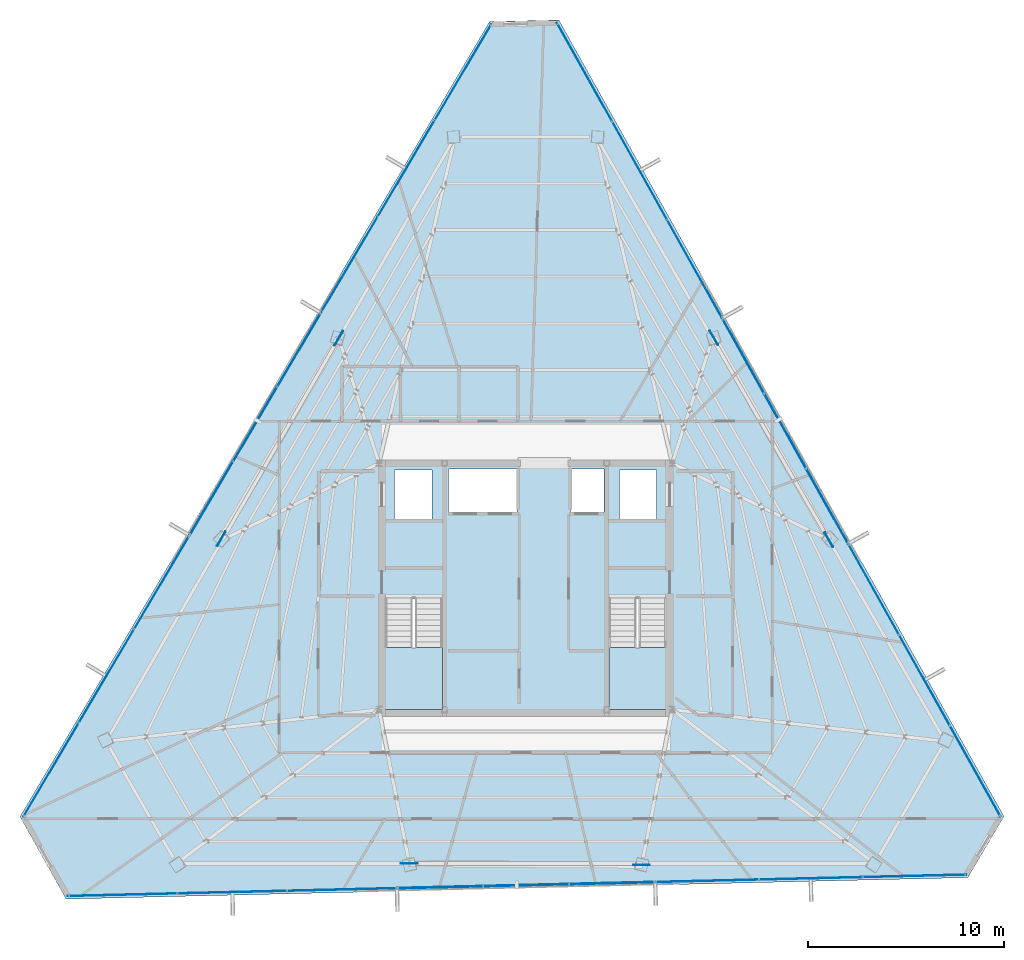
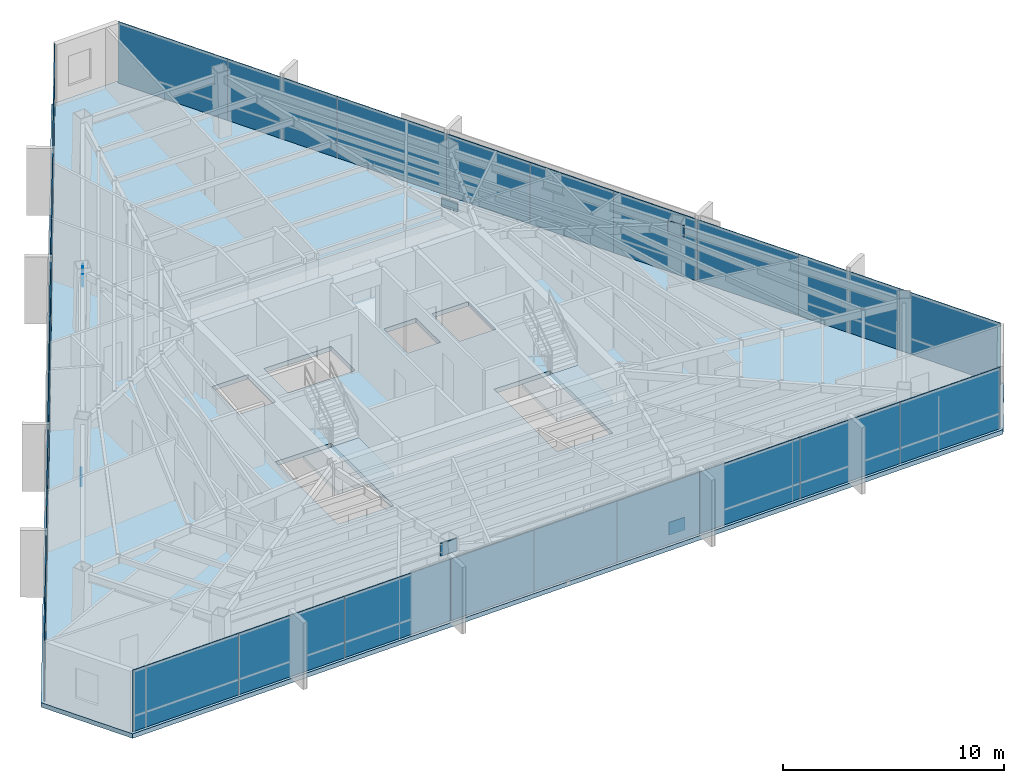
# One storey, part 35 of 45: 33 plates, 3 slabs, 11 elements without a shape of their own.
"""IFC4 building model written with IfcOpenShell, lengths in metres."""

from ifc_helpers import new_model, si_unit, direction, frame, origin, origin_2d, place, context, subcontext, project, spatial, polyline, rectangle, outline, extrude, source, transform, mapped, material, layer, layer_set, type_object, type_shapes, element, aggregate, save


model = new_model("IFC4")

# Units and contexts
model_context = context("Model", 3, precision=1e-05, world=origin(), true_north=direction((0.0, 1.0)))
body_context = subcontext(model_context, "Body", "Model", "MODEL_VIEW")
ifc_project = project(units=[si_unit("LENGTHUNIT", "METRE"), si_unit("AREAUNIT", "SQUARE_METRE"), si_unit("VOLUMEUNIT", "CUBIC_METRE"), si_unit("PLANEANGLEUNIT", "RADIAN"), si_unit("MASSUNIT", "GRAM", prefix="KILO")], contexts=[model_context])

# Site, building, storey
site_placement = place(None, origin())
site = spatial("IfcSite", under=ifc_project, at=site_placement, CompositionType="ELEMENT")
building_placement = place(site_placement, origin())
building = spatial("IfcBuilding", under=site, at=building_placement, Name="Caelisora Broadcast Tower", CompositionType="ELEMENT")
storey_placement = place(building_placement, frame((0.0, 0.0, 262.699951171875)))
storey = spatial("IfcBuildingStorey", under=building, at=storey_placement, Name="L69", CompositionType="ELEMENT", Elevation=262.699951171875)

# Slab
ifc_material_1 = material(Name="Concrete 40 MPa (AS 3600 N40)", Category="concrete")
ifc_layer_1 = layer(ifc_material_1, 0.25, Name="Concrete 40 MPa (AS 3600 N40)")
ifc_layer_set_1 = layer_set([ifc_layer_1], Name="Concrete 40 MPa (AS 3600 N40)")
slab_type_1 = type_object("IfcSlabType", Name="SL04", PredefinedType="FLOOR", material=ifc_layer_set_1)
slab_1_placement = place(storey_placement, frame((0.0, 0.0, -0.25)))
element("IfcSlab", 1, at=slab_1_placement, inside=storey, type_object=slab_type_1, Name="L69 suspended floor SL04", PredefinedType="FLOOR", context=body_context, shape_type="SweptSolid", body=[
    extrude(outline(polyline([(39.700927734375, 52.66796875), (36.153076171875, 52.5830078125), (12.14208984375, 11.925048828125), (14.4970703125, 7.7119140625), (60.615966796875, 8.81005859375), (62.462890625, 11.93798828125), (39.700927734375, 52.66796875)]), holes=[polyline([(30.820068359375, 17.39990234375), (33.739990234375, 17.39990234375), (33.739990234375, 23.080078125), (30.820068359375, 23.080078125), (30.820068359375, 17.39990234375)]), polyline([(42.260009765625, 17.39990234375), (45.179931640625, 17.39990234375), (45.179931640625, 23.080078125), (42.260009765625, 23.080078125), (42.260009765625, 17.39990234375)]), polyline([(42.800048828125, 27.14990234375), (44.699951171875, 27.14990234375), (44.699951171875, 29.64990234375), (42.800048828125, 29.64990234375), (42.800048828125, 27.14990234375)]), polyline([(40.300048828125, 27.5), (42.0, 27.5), (42.0, 29.699951171875), (40.300048828125, 29.699951171875), (40.300048828125, 27.5)]), polyline([(34.050048828125, 27.5), (37.550048828125, 27.5), (37.550048828125, 29.699951171875), (34.050048828125, 29.699951171875), (34.050048828125, 27.5)]), polyline([(31.300048828125, 27.14990234375), (33.199951171875, 27.14990234375), (33.199951171875, 29.64990234375), (31.300048828125, 29.64990234375), (31.300048828125, 27.14990234375)])]), origin(), (0.0, 0.0, 1.0), 0.25),
])

# Stair, slab
stair_type_1 = type_object("IfcStairType", Name="ST-1", PredefinedType="HALF_TURN_STAIR", material=ifc_material_1)
stair_1_placement = place(storey_placement, origin())
stair_1 = element("IfcStair", 2, at=stair_1_placement, inside=storey, type_object=stair_type_1, Name="L69 West Fire-Isolated Tower Stair", PredefinedType="HALF_TURN_STAIR")
ifc_layer_2 = layer(ifc_material_1, 0.199951171875, Name="Concrete 40 MPa (AS 3600 N40)")
ifc_layer_set_2 = layer_set([ifc_layer_2], Name="Concrete 40 MPa (AS 3600 N40)")
slab_type_2 = type_object("IfcSlabType", Name="STL-1", PredefinedType="LANDING", material=ifc_layer_set_2)
slab_2_placement = place(storey_placement, frame((0.0, 0.0, 1.625)))
slab_2 = element("IfcSlab", 3, at=slab_2_placement, type_object=slab_type_2, Name="ST-1 landing 1", PredefinedType="LANDING", context=body_context, shape_type="SweptSolid", body=[
    extrude(outline(polyline([(30.820068359375, 20.580078125), (30.820068359375, 17.39990234375), (33.739990234375, 17.39990234375), (33.739990234375, 20.580078125), (30.820068359375, 20.580078125)])), origin(), (0.0, 0.0, 1.0), 0.199951171875),
])
aggregate(stair_1, [slab_2])

stair_type_2 = type_object("IfcStairType", Name="ST-2", PredefinedType="HALF_TURN_STAIR", material=ifc_material_1)
stair_2_placement = place(storey_placement, origin())
stair_2 = element("IfcStair", 4, at=stair_2_placement, inside=storey, type_object=stair_type_2, Name="L69 East Fire-Isolated Tower Stair", PredefinedType="HALF_TURN_STAIR")
slab_3_placement = place(storey_placement, frame((0.0, 0.0, 1.625)))
slab_3 = element("IfcSlab", 5, at=slab_3_placement, type_object=slab_type_2, Name="ST-2 landing 1", PredefinedType="LANDING", context=body_context, shape_type="SweptSolid", body=[
    extrude(outline(polyline([(42.260009765625, 20.580078125), (42.260009765625, 17.39990234375), (45.179931640625, 17.39990234375), (45.179931640625, 20.580078125), (42.260009765625, 20.580078125)])), origin(), (0.0, 0.0, 1.0), 0.199951171875),
])
aggregate(stair_2, [slab_3])

# Plates
ifc_material_2 = material(Name="Steel Grade 350 L15 (AS/NZS 3678)", Category="steel")
ifc_layer_3 = layer(ifc_material_2, 0.0400390625, Name="Steel Grade 350 L15 (AS/NZS 3678)")
ifc_layer_set_3 = layer_set([ifc_layer_3], Name="Steel Grade 350 L15 (AS/NZS 3678)")
plate_type_1 = type_object("IfcPlateType", Name="GP04", PredefinedType="USERDEFINED", material=ifc_layer_set_3)
shared_shape_1 = source(origin(), body_context, "Body", "SweptSolid", [
    extrude(rectangle(XDim=0.85009765625, YDim=0.0400390625, at=origin_2d()), origin(), (0.0, 0.0, 1.0), 0.699951171875),
])
type_shapes(plate_type_1, [shared_shape_1])
for number, where, z_axis, x_axis, name in (
    (6, (28.4423828125, 36.3876953125, 2.72998046875), (0.0, 0.0, 1.0), (-0.5, -0.866025403784, 0.0), "L69 gusset plate GP04 (ND-L69-C02T)"),
    (7, (22.438720703125, 26.133544921875, -0.22998046875), (0.0, 0.0, 1.0), (-0.5, -0.866025403784, 0.0), "L69 gusset plate GP04 (ND-L69-C03B)"),
    (8, (32.05078125, 9.529052734375, 2.72998046875), (0.0, 0.0, 1.0), (1.0, 0.0, 0.0), "L69 gusset plate GP04 (ND-L69-C06T)"),
    (9, (43.932861328125, 9.456787109375, -0.22998046875), (0.0, 0.0, 1.0), (1.0, 0.0, 0.0), "L69 gusset plate GP04 (ND-L69-C07B)"),
    (10, (53.5068359375, 26.083251953125, 2.72998046875), (0.0, 0.0, 1.0), (-0.5, 0.866025403784, 0.0), "L69 gusset plate GP04 (ND-L69-C10T)"),
    (11, (47.62841796875, 36.40966796875, -0.22998046875), (0.0, 0.0, 1.0), (-0.5, 0.866025403784, 0.0), "L69 gusset plate GP04 (ND-L69-C11B)"),
):
    element("IfcPlate", number, at=place(storey_placement, frame(where, z_axis=z_axis, x_axis=x_axis)), inside=storey, type_object=plate_type_1, Name=name, ObjectType="GUSSET PLATE", PredefinedType="USERDEFINED", context=body_context, shape_type="MappedRepresentation", body=[
        mapped(shared_shape_1, transform((0.0, 0.0, 0.0), scale=1.0)),
    ])

# Curtain wall, plates
ifc_material_3 = material(Name="Unitised Aluminium and Low-E Glass Curtain Wall", Category="glass")
curtain_wall_type_1 = type_object("IfcCurtainWallType", Name="CW-Z5", PredefinedType="NOTDEFINED", material=ifc_material_3)
curtain_wall_1_placement = place(storey_placement, origin())
curtain_wall_1 = element("IfcCurtainWall", 12, at=curtain_wall_1_placement, inside=storey, type_object=curtain_wall_type_1, Name="L69 curtain wall CW-Z5", PredefinedType="NOTDEFINED")
ifc_material_4 = material(Name="Double Glazed Low-E Argon IGU", Category="glass")
ifc_layer_4 = layer(ifc_material_4, 0.028076171875, Name="Double Glazed Low-E Argon IGU")
ifc_layer_set_4 = layer_set([ifc_layer_4], Name="Double Glazed Low-E Argon IGU")
plate_type_2 = type_object("IfcPlateType", Name="CWP-06", PredefinedType="CURTAIN_PANEL", material=ifc_layer_set_4)
shared_shape_2 = source(origin(), body_context, "Body", "SweptSolid", [
    extrude(rectangle(XDim=5.76318359375, YDim=0.028076171875, at=origin_2d()), origin(), (0.0, 0.0, 1.0), 3.39990234375),
])
plate_1_placement = place(storey_placement, frame((41.019775390625, 50.00048828125, 0.0), z_axis=(0.0, 0.0, 1.0), x_axis=(0.487859659139, -0.87292207727, 0.0)))
plate_1 = element("IfcPlate", 13, at=plate_1_placement, type_object=plate_type_2, Name="L69-CW-B01 glazed panel #1", PredefinedType="CURTAIN_PANEL", context=body_context, shape_type="MappedRepresentation", body=[
    mapped(shared_shape_2, transform((0.0, 0.0, 0.0), scale=1.0)),
])
plate_2_placement = place(storey_placement, frame((43.831298828125, 44.9697265625, 0.0), z_axis=(0.0, 0.0, 1.0), x_axis=(0.487859659139, -0.87292207727, 0.0)))
plate_2 = element("IfcPlate", 14, at=plate_2_placement, type_object=plate_type_2, Name="L69-CW-B01 glazed panel #2", PredefinedType="CURTAIN_PANEL", context=body_context, shape_type="MappedRepresentation", body=[
    mapped(shared_shape_2, transform((0.0, 0.0, 0.0), scale=1.0)),
])
plate_3_placement = place(storey_placement, frame((46.642822265625, 39.93896484375, 0.0), z_axis=(0.0, 0.0, 1.0), x_axis=(0.487859659139, -0.87292207727, 0.0)))
plate_3 = element("IfcPlate", 15, at=plate_3_placement, type_object=plate_type_2, Name="L69-CW-B01 glazed panel #3", PredefinedType="CURTAIN_PANEL", context=body_context, shape_type="MappedRepresentation", body=[
    mapped(shared_shape_2, transform((0.0, 0.0, 0.0), scale=1.0)),
])
aggregate(curtain_wall_1, [plate_1, plate_2, plate_3])

ifc_material_5 = material(Name="Unitised Aluminium Insulated Shadow-Box Spandrel Curtain Wall", Category="aluminium")
curtain_wall_type_2 = type_object("IfcCurtainWallType", Name="CW-SP3", PredefinedType="NOTDEFINED", material=ifc_material_5)
curtain_wall_2_placement = place(storey_placement, origin())
curtain_wall_2 = element("IfcCurtainWall", 16, at=curtain_wall_2_placement, inside=storey, type_object=curtain_wall_type_2, Name="L69 curtain wall CW-SP3", PredefinedType="NOTDEFINED")
ifc_material_6 = material(Name="Insulated Terracotta Shadow-Box Spandrel Panel", Category="aluminium")
ifc_layer_5 = layer(ifc_material_6, 0.0439453125, Name="Insulated Terracotta Shadow-Box Spandrel Panel")
ifc_layer_set_5 = layer_set([ifc_layer_5], Name="Insulated Terracotta Shadow-Box Spandrel Panel")
plate_type_3 = type_object("IfcPlateType", Name="CWP-10", PredefinedType="CURTAIN_PANEL", material=ifc_layer_set_5)
shared_shape_3 = source(origin(), body_context, "Body", "SweptSolid", [
    extrude(rectangle(XDim=4.401611328125, YDim=0.0439453125, at=origin_2d()), origin(), (0.0, 0.0, 1.0), 3.39990234375),
])
plate_4_placement = place(storey_placement, frame((49.126953125, 35.49365234375, 0.0), z_axis=(0.0, 0.0, 1.0), x_axis=(0.487859659139, -0.87292207727, 0.0)))
plate_4 = element("IfcPlate", 17, at=plate_4_placement, type_object=plate_type_3, Name="L69-CW-B02 spandrel panel #1", PredefinedType="CURTAIN_PANEL", context=body_context, shape_type="MappedRepresentation", body=[
    mapped(shared_shape_3, transform((0.0, 0.0, 0.0), scale=1.0)),
])
plate_5_placement = place(storey_placement, frame((51.2744140625, 31.6513671875, 0.0), z_axis=(0.0, 0.0, 1.0), x_axis=(0.487859659139, -0.87292207727, 0.0)))
plate_5 = element("IfcPlate", 18, at=plate_5_placement, type_object=plate_type_3, Name="L69-CW-B02 spandrel panel #2", PredefinedType="CURTAIN_PANEL", context=body_context, shape_type="MappedRepresentation", body=[
    mapped(shared_shape_3, transform((0.0, 0.0, 0.0), scale=1.0)),
])
plate_6_placement = place(storey_placement, frame((53.42138671875, 27.80908203125, 0.0), z_axis=(0.0, 0.0, 1.0), x_axis=(0.487859659139, -0.87292207727, 0.0)))
plate_6 = element("IfcPlate", 19, at=plate_6_placement, type_object=plate_type_3, Name="L69-CW-B02 spandrel panel #3", PredefinedType="CURTAIN_PANEL", context=body_context, shape_type="MappedRepresentation", body=[
    mapped(shared_shape_3, transform((0.0, 0.0, 0.0), scale=1.0)),
])
aggregate(curtain_wall_2, [plate_4, plate_5, plate_6])

curtain_wall_3_placement = place(storey_placement, origin())
curtain_wall_3 = element("IfcCurtainWall", 20, at=curtain_wall_3_placement, inside=storey, type_object=curtain_wall_type_2, Name="L69 curtain wall CW-SP3", PredefinedType="NOTDEFINED")
plate_7_placement = place(storey_placement, frame((21.93359375, 28.2099609375, 0.0), z_axis=(0.0, 0.0, 1.0), x_axis=(0.508440380454, 0.861097195167, 0.0)))
plate_7 = element("IfcPlate", 21, at=plate_7_placement, type_object=plate_type_3, Name="L69-CW-B10 spandrel panel #1", PredefinedType="CURTAIN_PANEL", context=body_context, shape_type="MappedRepresentation", body=[
    mapped(shared_shape_3, transform((0.0, 0.0, 0.0), scale=1.0)),
])
plate_8_placement = place(storey_placement, frame((24.171875, 32.0, 0.0), z_axis=(0.0, 0.0, 1.0), x_axis=(0.508440380454, 0.861097195167, 0.0)))
plate_8 = element("IfcPlate", 22, at=plate_8_placement, type_object=plate_type_3, Name="L69-CW-B10 spandrel panel #2", PredefinedType="CURTAIN_PANEL", context=body_context, shape_type="MappedRepresentation", body=[
    mapped(shared_shape_3, transform((0.0, 0.0, 0.0), scale=1.0)),
])
plate_9_placement = place(storey_placement, frame((26.41015625, 35.790283203125, 0.0), z_axis=(0.0, 0.0, 1.0), x_axis=(0.508440380454, 0.861097195167, 0.0)))
plate_9 = element("IfcPlate", 23, at=plate_9_placement, type_object=plate_type_3, Name="L69-CW-B10 spandrel panel #3", PredefinedType="CURTAIN_PANEL", context=body_context, shape_type="MappedRepresentation", body=[
    mapped(shared_shape_3, transform((0.0, 0.0, 0.0), scale=1.0)),
])
aggregate(curtain_wall_3, [plate_7, plate_8, plate_9])

curtain_wall_4_placement = place(storey_placement, origin())
curtain_wall_4 = element("IfcCurtainWall", 24, at=curtain_wall_4_placement, inside=storey, type_object=curtain_wall_type_1, Name="L69 curtain wall CW-Z5", PredefinedType="NOTDEFINED")
shared_shape_4 = source(origin(), body_context, "Body", "SweptSolid", [
    extrude(rectangle(XDim=5.32275390625, YDim=0.028076171875, at=origin_2d()), origin(), (0.0, 0.0, 1.0), 3.39990234375),
])
plate_10_placement = place(storey_placement, frame((55.79833984375, 23.555908203125, 0.0), z_axis=(0.0, 0.0, 1.0), x_axis=(0.487859659139, -0.87292207727, 0.0)))
plate_10 = element("IfcPlate", 25, at=plate_10_placement, type_object=plate_type_2, Name="L69-CW-B03 glazed panel #1", PredefinedType="CURTAIN_PANEL", context=body_context, shape_type="MappedRepresentation", body=[
    mapped(shared_shape_4, transform((0.0, 0.0, 0.0), scale=1.0)),
])
plate_11_placement = place(storey_placement, frame((58.39501953125, 18.90966796875, 0.0), z_axis=(0.0, 0.0, 1.0), x_axis=(0.487859659139, -0.87292207727, 0.0)))
plate_11 = element("IfcPlate", 26, at=plate_11_placement, type_object=plate_type_2, Name="L69-CW-B03 glazed panel #2", PredefinedType="CURTAIN_PANEL", context=body_context, shape_type="MappedRepresentation", body=[
    mapped(shared_shape_4, transform((0.0, 0.0, 0.0), scale=1.0)),
])
plate_12_placement = place(storey_placement, frame((60.99169921875, 14.26318359375, 0.0), z_axis=(0.0, 0.0, 1.0), x_axis=(0.487859659139, -0.87292207727, 0.0)))
plate_12 = element("IfcPlate", 27, at=plate_12_placement, type_object=plate_type_2, Name="L69-CW-B03 glazed panel #3", PredefinedType="CURTAIN_PANEL", context=body_context, shape_type="MappedRepresentation", body=[
    mapped(shared_shape_4, transform((0.0, 0.0, 0.0), scale=1.0)),
])
aggregate(curtain_wall_4, [plate_10, plate_11, plate_12])

curtain_wall_5_placement = place(storey_placement, origin())
curtain_wall_5 = element("IfcCurtainWall", 28, at=curtain_wall_5_placement, inside=storey, type_object=curtain_wall_type_1, Name="L69 curtain wall CW-Z5", PredefinedType="NOTDEFINED")
shared_shape_5 = source(origin(), body_context, "Body", "SweptSolid", [
    extrude(rectangle(XDim=5.2998046875, YDim=0.028076171875, at=origin_2d()), origin(), (0.0, 0.0, 1.0), 3.39990234375),
])
plate_13_placement = place(storey_placement, frame((57.8798828125, 8.89501953125, 0.0), z_axis=(0.0, 0.0, 1.0), x_axis=(-0.999718303037, -0.023734248954, 0.0)))
plate_13 = element("IfcPlate", 29, at=plate_13_placement, type_object=plate_type_2, Name="L69-CW-B05 glazed panel #1", PredefinedType="CURTAIN_PANEL", context=body_context, shape_type="MappedRepresentation", body=[
    mapped(shared_shape_5, transform((0.0, 0.0, 0.0), scale=1.0)),
])
plate_14_placement = place(storey_placement, frame((52.58154296875, 8.768798828125, 0.0), z_axis=(0.0, 0.0, 1.0), x_axis=(-0.999718303037, -0.023734248954, 0.0)))
plate_14 = element("IfcPlate", 30, at=plate_14_placement, type_object=plate_type_2, Name="L69-CW-B05 glazed panel #2", PredefinedType="CURTAIN_PANEL", context=body_context, shape_type="MappedRepresentation", body=[
    mapped(shared_shape_5, transform((0.0, 0.0, 0.0), scale=1.0)),
])
plate_15_placement = place(storey_placement, frame((47.283203125, 8.642578125, 0.0), z_axis=(0.0, 0.0, 1.0), x_axis=(-0.999718303037, -0.023734248954, 0.0)))
plate_15 = element("IfcPlate", 31, at=plate_15_placement, type_object=plate_type_2, Name="L69-CW-B05 glazed panel #3", PredefinedType="CURTAIN_PANEL", context=body_context, shape_type="MappedRepresentation", body=[
    mapped(shared_shape_5, transform((0.0, 0.0, 0.0), scale=1.0)),
])
aggregate(curtain_wall_5, [plate_13, plate_14, plate_15])

curtain_wall_6_placement = place(storey_placement, origin())
curtain_wall_6 = element("IfcCurtainWall", 32, at=curtain_wall_6_placement, inside=storey, type_object=curtain_wall_type_2, Name="L69 curtain wall CW-SP3", PredefinedType="NOTDEFINED")
shared_shape_6 = source(origin(), body_context, "Body", "SweptSolid", [
    extrude(rectangle(XDim=4.40087890625, YDim=0.0439453125, at=origin_2d()), origin(), (0.0, 0.0, 1.0), 3.39990234375),
])
type_shapes(plate_type_3, [shared_shape_3, shared_shape_6])
plate_16_placement = place(storey_placement, frame((42.42431640625, 8.52685546875, 0.0), z_axis=(0.0, 0.0, 1.0), x_axis=(-0.999718303037, -0.023734248954, 0.0)))
plate_16 = element("IfcPlate", 33, at=plate_16_placement, type_object=plate_type_3, Name="L69-CW-B06 spandrel panel #1", PredefinedType="CURTAIN_PANEL", context=body_context, shape_type="MappedRepresentation", body=[
    mapped(shared_shape_6, transform((0.0, 0.0, 0.0), scale=1.0)),
])
plate_17_placement = place(storey_placement, frame((38.024658203125, 8.422119140625, 0.0), z_axis=(0.0, 0.0, 1.0), x_axis=(-0.999718303037, -0.023734248954, 0.0)))
plate_17 = element("IfcPlate", 34, at=plate_17_placement, type_object=plate_type_3, Name="L69-CW-B06 spandrel panel #2", PredefinedType="CURTAIN_PANEL", context=body_context, shape_type="MappedRepresentation", body=[
    mapped(shared_shape_6, transform((0.0, 0.0, 0.0), scale=1.0)),
])
plate_18_placement = place(storey_placement, frame((33.625, 8.3173828125, 0.0), z_axis=(0.0, 0.0, 1.0), x_axis=(-0.999718303037, -0.023734248954, 0.0)))
plate_18 = element("IfcPlate", 35, at=plate_18_placement, type_object=plate_type_3, Name="L69-CW-B06 spandrel panel #3", PredefinedType="CURTAIN_PANEL", context=body_context, shape_type="MappedRepresentation", body=[
    mapped(shared_shape_6, transform((0.0, 0.0, 0.0), scale=1.0)),
])
aggregate(curtain_wall_6, [plate_16, plate_17, plate_18])

curtain_wall_7_placement = place(storey_placement, origin())
curtain_wall_7 = element("IfcCurtainWall", 36, at=curtain_wall_7_placement, inside=storey, type_object=curtain_wall_type_1, Name="L69 curtain wall CW-Z5", PredefinedType="NOTDEFINED")
shared_shape_7 = source(origin(), body_context, "Body", "SweptSolid", [
    extrude(rectangle(XDim=5.612060546875, YDim=0.028076171875, at=origin_2d()), origin(), (0.0, 0.0, 1.0), 3.39990234375),
])
plate_19_placement = place(storey_placement, frame((28.610107421875, 8.197998046875, 0.0), z_axis=(0.0, 0.0, 1.0), x_axis=(-0.999718303037, -0.023734248954, 0.0)))
plate_19 = element("IfcPlate", 37, at=plate_19_placement, type_object=plate_type_2, Name="L69-CW-B07 glazed panel #1", PredefinedType="CURTAIN_PANEL", context=body_context, shape_type="MappedRepresentation", body=[
    mapped(shared_shape_7, transform((0.0, 0.0, 0.0), scale=1.0)),
])
plate_20_placement = place(storey_placement, frame((22.99951171875, 8.064453125, 0.0), z_axis=(0.0, 0.0, 1.0), x_axis=(-0.999718303037, -0.023734248954, 0.0)))
plate_20 = element("IfcPlate", 38, at=plate_20_placement, type_object=plate_type_2, Name="L69-CW-B07 glazed panel #2", PredefinedType="CURTAIN_PANEL", context=body_context, shape_type="MappedRepresentation", body=[
    mapped(shared_shape_7, transform((0.0, 0.0, 0.0), scale=1.0)),
])
plate_21_placement = place(storey_placement, frame((17.38916015625, 7.930908203125, 0.0), z_axis=(0.0, 0.0, 1.0), x_axis=(-0.999718303037, -0.023734248954, 0.0)))
plate_21 = element("IfcPlate", 39, at=plate_21_placement, type_object=plate_type_2, Name="L69-CW-B07 glazed panel #3", PredefinedType="CURTAIN_PANEL", context=body_context, shape_type="MappedRepresentation", body=[
    mapped(shared_shape_7, transform((0.0, 0.0, 0.0), scale=1.0)),
])
aggregate(curtain_wall_7, [plate_19, plate_20, plate_21])

curtain_wall_8_placement = place(storey_placement, origin())
curtain_wall_8 = element("IfcCurtainWall", 40, at=curtain_wall_8_placement, inside=storey, type_object=curtain_wall_type_1, Name="L69 curtain wall CW-Z5", PredefinedType="NOTDEFINED")
shared_shape_8 = source(origin(), body_context, "Body", "SweptSolid", [
    extrude(rectangle(XDim=5.568115234375, YDim=0.028076171875, at=origin_2d()), origin(), (0.0, 0.0, 1.0), 3.39990234375),
])
plate_22_placement = place(storey_placement, frame((13.730712890625, 14.3203125, 0.0), z_axis=(0.0, 0.0, 1.0), x_axis=(0.508440380454, 0.861097195167, 0.0)))
plate_22 = element("IfcPlate", 41, at=plate_22_placement, type_object=plate_type_2, Name="L69-CW-B09 glazed panel #1", PredefinedType="CURTAIN_PANEL", context=body_context, shape_type="MappedRepresentation", body=[
    mapped(shared_shape_8, transform((0.0, 0.0, 0.0), scale=1.0)),
])
plate_23_placement = place(storey_placement, frame((16.56201171875, 19.114501953125, 0.0), z_axis=(0.0, 0.0, 1.0), x_axis=(0.508440380454, 0.861097195167, 0.0)))
plate_23 = element("IfcPlate", 42, at=plate_23_placement, type_object=plate_type_2, Name="L69-CW-B09 glazed panel #2", PredefinedType="CURTAIN_PANEL", context=body_context, shape_type="MappedRepresentation", body=[
    mapped(shared_shape_8, transform((0.0, 0.0, 0.0), scale=1.0)),
])
plate_24_placement = place(storey_placement, frame((19.3935546875, 23.908935546875, 0.0), z_axis=(0.0, 0.0, 1.0), x_axis=(0.508440380454, 0.861097195167, 0.0)))
plate_24 = element("IfcPlate", 43, at=plate_24_placement, type_object=plate_type_2, Name="L69-CW-B09 glazed panel #3", PredefinedType="CURTAIN_PANEL", context=body_context, shape_type="MappedRepresentation", body=[
    mapped(shared_shape_8, transform((0.0, 0.0, 0.0), scale=1.0)),
])
aggregate(curtain_wall_8, [plate_22, plate_23, plate_24])

curtain_wall_9_placement = place(storey_placement, origin())
curtain_wall_9 = element("IfcCurtainWall", 44, at=curtain_wall_9_placement, inside=storey, type_object=curtain_wall_type_1, Name="L69 curtain wall CW-Z5", PredefinedType="NOTDEFINED")
shared_shape_9 = source(origin(), body_context, "Body", "SweptSolid", [
    extrude(rectangle(XDim=5.70654296875, YDim=0.028076171875, at=origin_2d()), origin(), (0.0, 0.0, 1.0), 3.39990234375),
])
type_shapes(plate_type_2, [shared_shape_2, shared_shape_4, shared_shape_5, shared_shape_7, shared_shape_8, shared_shape_9])
plate_25_placement = place(storey_placement, frame((28.9853515625, 40.150634765625, 0.0), z_axis=(0.0, 0.0, 1.0), x_axis=(0.508440380454, 0.861097195167, 0.0)))
plate_25 = element("IfcPlate", 45, at=plate_25_placement, type_object=plate_type_2, Name="L69-CW-B11 glazed panel #1", PredefinedType="CURTAIN_PANEL", context=body_context, shape_type="MappedRepresentation", body=[
    mapped(shared_shape_9, transform((0.0, 0.0, 0.0), scale=1.0)),
])
plate_26_placement = place(storey_placement, frame((31.88720703125, 45.064453125, 0.0), z_axis=(0.0, 0.0, 1.0), x_axis=(0.508440380454, 0.861097195167, 0.0)))
plate_26 = element("IfcPlate", 46, at=plate_26_placement, type_object=plate_type_2, Name="L69-CW-B11 glazed panel #2", PredefinedType="CURTAIN_PANEL", context=body_context, shape_type="MappedRepresentation", body=[
    mapped(shared_shape_9, transform((0.0, 0.0, 0.0), scale=1.0)),
])
plate_27_placement = place(storey_placement, frame((34.7890625, 49.97802734375, 0.0), z_axis=(0.0, 0.0, 1.0), x_axis=(0.508440380454, 0.861097195167, 0.0)))
plate_27 = element("IfcPlate", 47, at=plate_27_placement, type_object=plate_type_2, Name="L69-CW-B11 glazed panel #3", PredefinedType="CURTAIN_PANEL", context=body_context, shape_type="MappedRepresentation", body=[
    mapped(shared_shape_9, transform((0.0, 0.0, 0.0), scale=1.0)),
])
aggregate(curtain_wall_9, [plate_25, plate_26, plate_27])

save(model, "model.ifc")
